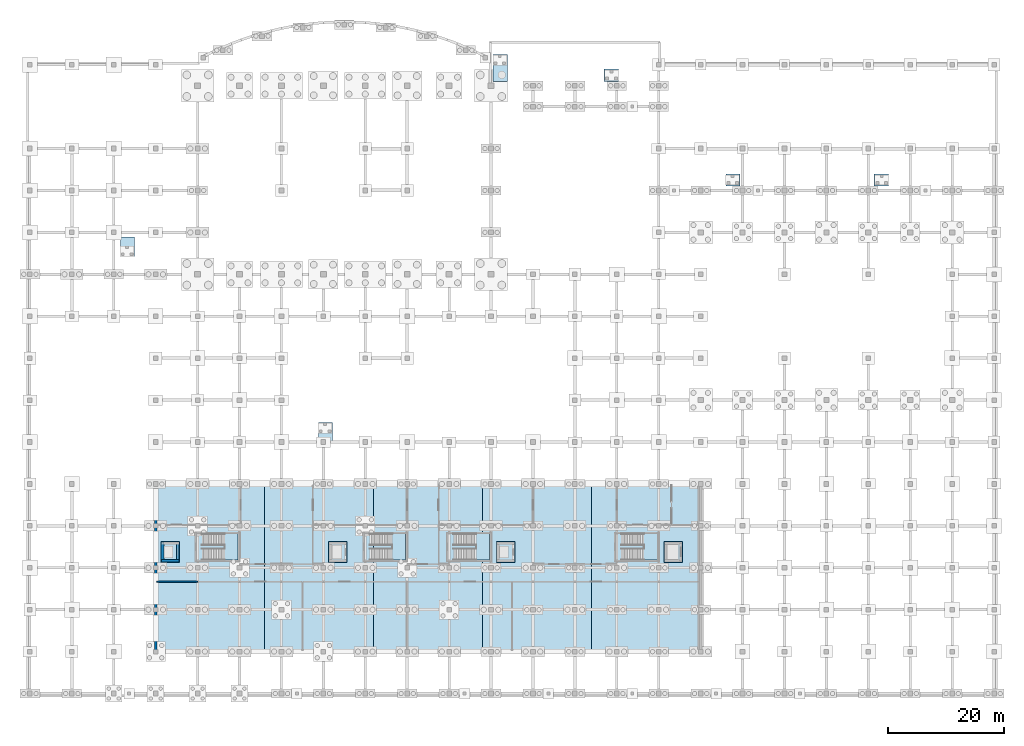
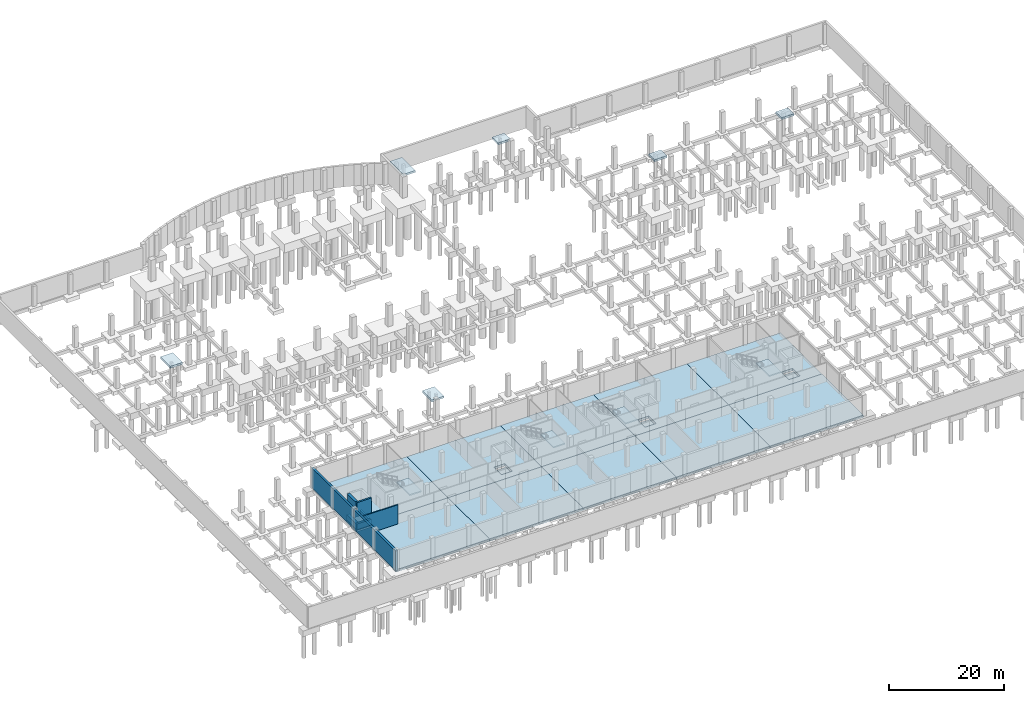
# One storey, part 17 of 22: 24 slabs, 8 walls, 4 elements without a shape of their own.
"""IFC4 building model written with IfcOpenShell, lengths in metres."""

import ifcopenshell
import ifcopenshell.guid

model = None  # the IFC model being written
_history = None  # IfcOwnerHistory: only IFC2X3 demands one
_inside = {}  # id of a spatial element -> (the spatial element, [elements in it])
_under = {}  # id of a project, library or spatial element -> (it, [spatial elements below it])
_declared = {}  # id of a project -> (the project, [libraries it declares])
_typed = {}  # id of a type object -> (the type object, [elements of that type])
_made_of = {}  # id of a material, layer set ... -> (it, [elements and type objects made of it])


def new_model(schema):
    """Start an empty IFC model of exactly this schema.

    Asked for "IFC4X3", IfcOpenShell would pick the latest addendum, in which some entities
    have other attributes; the version numbers below select the first issue.
    IFC2X3 requires an IfcOwnerHistory on every rooted entity: one is made here for all.
    """
    global model, _history
    if schema == "IFC4X3":
        model = ifcopenshell.file(schema_version=(4, 3, 0, 0))
    else:
        model = ifcopenshell.file(schema=schema)
    _inside.clear()
    _under.clear()
    _declared.clear()
    _typed.clear()
    _made_of.clear()
    _history = None
    if model.schema == "IFC2X3":
        org = make("IfcOrganization", Name="unknown")
        user = make(
            "IfcPersonAndOrganization",
            ThePerson=make("IfcPerson", FamilyName="unknown"),
            TheOrganization=org,
        )
        app = make(
            "IfcApplication",
            ApplicationDeveloper=org,
            Version="unknown",
            ApplicationFullName="unknown",
            ApplicationIdentifier="unknown",
        )
        _history = make(
            "IfcOwnerHistory",
            OwningUser=user,
            OwningApplication=app,
            ChangeAction="ADDED",
            CreationDate=0,
        )
    return model


def make(cls, **values):
    """One entity of the class cls with the attributes given. An attribute that is None is left unset."""
    return model.create_entity(
        cls, **{name: value for name, value in values.items() if value is not None}
    )


def rooted(cls, **values):
    """An entity with a GlobalId (a new one), such as an element, a storey or a relation."""
    return make(cls, GlobalId=ifcopenshell.guid.new(), OwnerHistory=_history, **values)


def si_unit(unit_type, name, prefix=None):
    """IfcSIUnit, for example si_unit("LENGTHUNIT", "METRE", prefix="MILLI")."""
    return make("IfcSIUnit", UnitType=unit_type, Prefix=prefix, Name=name)


def assignment(units):
    """IfcUnitAssignment: the units of a project."""
    return None if units is None else make("IfcUnitAssignment", Units=units)


def point(xyz):
    """IfcCartesianPoint."""
    return None if xyz is None else make("IfcCartesianPoint", Coordinates=xyz)


def direction(xyz):
    """IfcDirection."""
    return None if xyz is None else make("IfcDirection", DirectionRatios=xyz)


def frame(location, z_axis=None, x_axis=None):
    """IfcAxis2Placement3D, a coordinate frame: its origin and axes. An axis left out is left unset."""
    return make(
        "IfcAxis2Placement3D",
        Location=point(location),
        Axis=direction(z_axis),
        RefDirection=direction(x_axis),
    )


def frame_2d(location, x_axis=None):
    """IfcAxis2Placement2D, a coordinate frame in the plane: its origin and x axis."""
    return make(
        "IfcAxis2Placement2D", Location=point(location), RefDirection=direction(x_axis)
    )


def origin():
    """The frame at (0, 0, 0) with its axes left unset."""
    return frame((0.0, 0.0, 0.0))


def place(relative_to, where):
    """IfcLocalPlacement: puts the frame where relative to a parent placement (None: the world)."""
    return make(
        "IfcLocalPlacement", PlacementRelTo=relative_to, RelativePlacement=where
    )


def context(
    kind, dimensions, precision=None, world=None, true_north=None, identifier=None
):
    """IfcGeometricRepresentationContext, for example the 3D "Model" context."""
    return make(
        "IfcGeometricRepresentationContext",
        ContextIdentifier=identifier,
        ContextType=kind,
        CoordinateSpaceDimension=dimensions,
        Precision=precision,
        WorldCoordinateSystem=world,
        TrueNorth=true_north,
    )


def subcontext(parent, identifier, kind, view, scale=None):
    """IfcGeometricRepresentationSubContext, for example "Body" below "Model"."""
    return make(
        "IfcGeometricRepresentationSubContext",
        ContextIdentifier=identifier,
        ContextType=kind,
        ParentContext=parent,
        TargetScale=scale,
        TargetView=view,
    )


def project(units=None, contexts=None):
    """IfcProject with its units and contexts."""
    return rooted(
        "IfcProject",
        Name="project",
        RepresentationContexts=contexts,
        UnitsInContext=assignment(units),
    )


def spatial(cls, under=None, at=None, **own):
    """A site, building, storey or space (cls), placed at a placement, below another one or the project."""
    s = rooted(cls, ObjectPlacement=at, **own)
    if under is not None:
        _under.setdefault(under.id(), (under, []))[1].append(s)
    return s


def polyline(points):
    """IfcPolyline through the points."""
    return make("IfcPolyline", Points=[point(p) for p in points])


def profile(cls, at=None, kind="AREA", **sizes):
    """A parametric profile (cls). Its sizes go by their IFC names, for example OverallWidth=200.0."""
    return make(cls, ProfileType=kind, Position=at, **sizes)


def rectangle(**sizes):
    """IfcRectangleProfileDef."""
    return profile("IfcRectangleProfileDef", **sizes)


def outline(outer, holes=None, kind="AREA"):
    """IfcArbitraryClosedProfileDef: a profile drawn as a closed curve; with holes, ...WithVoids."""
    if holes is None:
        return make("IfcArbitraryClosedProfileDef", ProfileType=kind, OuterCurve=outer)
    return make(
        "IfcArbitraryProfileDefWithVoids",
        ProfileType=kind,
        OuterCurve=outer,
        InnerCurves=holes,
    )


def extrude(swept, where, along, depth):
    """IfcExtrudedAreaSolid: the profile swept, set in the frame where, extruded along a direction by depth."""
    return make(
        "IfcExtrudedAreaSolid",
        SweptArea=swept,
        Position=where,
        ExtrudedDirection=direction(along),
        Depth=depth,
    )


def shape(context_of_items, identifier, shape_type, items):
    """IfcShapeRepresentation: the items that make up one representation, for example the "Body"."""
    return make(
        "IfcShapeRepresentation",
        ContextOfItems=context_of_items,
        RepresentationIdentifier=identifier,
        RepresentationType=shape_type,
        Items=items,
    )


def material(Name=None, Category=None):
    """IfcMaterial."""
    return make("IfcMaterial", Name=Name, Category=Category)


def layer(
    of_material, thickness, ventilated=None, Name=None, Category=None, Priority=None
):
    """IfcMaterialLayer: one layer of a wall or slab, of a material (None: an air gap)."""
    return make(
        "IfcMaterialLayer",
        Material=of_material,
        LayerThickness=thickness,
        IsVentilated=ventilated,
        Name=Name,
        Category=Category,
        Priority=Priority,
    )


def layer_set(layers, Name=None):
    """IfcMaterialLayerSet."""
    return make("IfcMaterialLayerSet", MaterialLayers=layers, LayerSetName=Name)


def made_of(thing, what):
    """Note that an element or type object is made of a material, layer set ...; save() writes the relation."""
    if what is not None:
        _made_of.setdefault(what.id(), (what, []))[1].append(thing)
    return thing


def type_object(cls, material=None, **own):
    """A type object (cls), such as IfcWallType, which elements share."""
    return made_of(rooted(cls, **own), material)


def element(
    cls,
    number,
    at=None,
    inside=None,
    cuts=None,
    type_object=None,
    material=None,
    context=None,
    identifier="Body",
    shape_type=None,
    held_by="IfcProductDefinitionShape",
    body=None,
    shapes=None,
    **own,
):
    """One element of the class cls, such as IfcWall. Its Tag is "e" and its number.

    at: its placement. inside: the storey or other place that contains it. cuts: it is an
    opening in that element (IfcRelVoidsElement). A single representation is given by context,
    identifier, shape_type and body (its items); several are given by shapes. held_by: the class
    of the entity that holds the representations. save() writes the other relations.
    """
    e = rooted(cls, Tag="e%d" % number, ObjectPlacement=at, **own)
    if body is not None:
        shapes = [shape(context, identifier, shape_type, body)]
    if shapes is not None:
        e.Representation = make(held_by, Representations=shapes)
    if inside is not None:
        _inside.setdefault(inside.id(), (inside, []))[1].append(e)
    if cuts is not None:
        rooted(
            "IfcRelVoidsElement", RelatingBuildingElement=cuts, RelatedOpeningElement=e
        )
    if type_object is not None:
        _typed.setdefault(type_object.id(), (type_object, []))[1].append(e)
    return made_of(e, material)


def aggregate(whole, parts):
    """IfcRelAggregates: a whole, such as a stair, and the parts it consists of."""
    return rooted("IfcRelAggregates", RelatingObject=whole, RelatedObjects=parts)


def save(model, path):
    """Write the relations noted so far, then the file.

    IfcRelAggregates (storeys below a building ...), IfcRelContainedInSpatialStructure (elements
    in a storey), IfcRelDefinesByType, IfcRelAssociatesMaterial and IfcRelDeclares: one each for
    every whole, place, type object, material and project.
    """
    for whole, parts in _under.values():
        aggregate(whole, parts)
    for where, things in _inside.values():
        rooted(
            "IfcRelContainedInSpatialStructure",
            RelatedElements=things,
            RelatingStructure=where,
        )
    for kind, things in _typed.values():
        rooted("IfcRelDefinesByType", RelatedObjects=things, RelatingType=kind)
    for what, things in _made_of.values():
        rooted("IfcRelAssociatesMaterial", RelatedObjects=things, RelatingMaterial=what)
    for by, libraries in _declared.values():
        rooted("IfcRelDeclares", RelatingContext=by, RelatedDefinitions=libraries)
    model.write(path)


model = new_model("IFC4")

# Units and contexts
model_context = context("Model", 3, precision=1e-05, world=origin(), true_north=direction((0.0, 1.0)))
body_context = subcontext(model_context, "Body", "Model", "MODEL_VIEW")
ifc_project = project(units=[si_unit("LENGTHUNIT", "METRE"), si_unit("AREAUNIT", "SQUARE_METRE"), si_unit("VOLUMEUNIT", "CUBIC_METRE"), si_unit("PLANEANGLEUNIT", "RADIAN"), si_unit("MASSUNIT", "GRAM", prefix="KILO")], contexts=[model_context])

# Site, building, storey
site_placement = place(None, origin())
site = spatial("IfcSite", under=ifc_project, at=site_placement, CompositionType="ELEMENT")
building_placement = place(site_placement, origin())
building = spatial("IfcBuilding", under=site, at=building_placement, Name="Sardonyx Promenade Sports Hall", CompositionType="ELEMENT")
storey_placement = place(building_placement, frame((0.0, 0.0, -4.5)))
storey = spatial("IfcBuildingStorey", under=building, at=storey_placement, Name="B1", CompositionType="ELEMENT", Elevation=-4.5)

# Stair, slab
ifc_material_1 = material(Name="Concrete C40/50", Category="concrete")
stair_type = type_object("IfcStairType", Name="Stair_Esc_B1_450", PredefinedType="HALF_TURN_STAIR", material=ifc_material_1)
stair_1_placement = place(storey_placement, origin())
stair_1 = element("IfcStair", 1, at=stair_1_placement, inside=storey, type_object=stair_type, Name="Protected escape stair ST1 (B1 to L00)", PredefinedType="HALF_TURN_STAIR")
ifc_material_2 = material(Name="Concrete C40/50", Category="concrete")
ifc_layer_1 = layer(ifc_material_2, 0.25)
ifc_layer_set_1 = layer_set([ifc_layer_1], Name="Land_Stair_250")
slab_type_1 = type_object("IfcSlabType", Name="Land_Stair_250", PredefinedType="LANDING", material=ifc_layer_set_1)
slab_1_placement = place(storey_placement, frame((0.0, 0.0, 2.0)))
slab_1 = element("IfcSlab", 2, at=slab_1_placement, type_object=slab_type_1, Name="Stair half-landing ST1 B1", PredefinedType="LANDING", context=body_context, shape_type="SweptSolid", body=[
    extrude(outline(polyline([(33.409912109375, 22.925048828125), (35.75, 22.925048828125), (35.75, 27.47509765625), (33.409912109375, 27.47509765625), (33.409912109375, 22.925048828125)])), origin(), (0.0, 0.0, 1.0), 0.25),
])
aggregate(stair_1, [slab_1])

stair_2_placement = place(storey_placement, origin())
stair_2 = element("IfcStair", 3, at=stair_2_placement, inside=storey, type_object=stair_type, Name="Protected escape stair ST2 (B1 to L00)", PredefinedType="HALF_TURN_STAIR")
slab_2_placement = place(storey_placement, frame((0.0, 0.0, 2.0)))
slab_2 = element("IfcSlab", 4, at=slab_2_placement, type_object=slab_type_1, Name="Stair half-landing ST2 B1", PredefinedType="LANDING", context=body_context, shape_type="SweptSolid", body=[
    extrude(outline(polyline([(105.409912109375, 22.925048828125), (107.75, 22.925048828125), (107.75, 27.47509765625), (105.409912109375, 27.47509765625), (105.409912109375, 22.925048828125)])), origin(), (0.0, 0.0, 1.0), 0.25),
])
aggregate(stair_2, [slab_2])

stair_3_placement = place(storey_placement, origin())
stair_3 = element("IfcStair", 5, at=stair_3_placement, inside=storey, type_object=stair_type, Name="Protected escape stair ST3 (B1 to L00)", PredefinedType="HALF_TURN_STAIR")
slab_3_placement = place(storey_placement, frame((0.0, 0.0, 2.0)))
slab_3 = element("IfcSlab", 6, at=slab_3_placement, type_object=slab_type_1, Name="Stair half-landing ST3 B1", PredefinedType="LANDING", context=body_context, shape_type="SweptSolid", body=[
    extrude(outline(polyline([(62.2099609375, 22.925048828125), (64.550048828125, 22.925048828125), (64.550048828125, 27.47509765625), (62.2099609375, 27.47509765625), (62.2099609375, 22.925048828125)])), origin(), (0.0, 0.0, 1.0), 0.25),
])
aggregate(stair_3, [slab_3])

stair_4_placement = place(storey_placement, origin())
stair_4 = element("IfcStair", 7, at=stair_4_placement, inside=storey, type_object=stair_type, Name="Protected escape stair ST4 (B1 to L00)", PredefinedType="HALF_TURN_STAIR")
slab_4_placement = place(storey_placement, frame((0.0, 0.0, 2.0)))
slab_4 = element("IfcSlab", 8, at=slab_4_placement, type_object=slab_type_1, Name="Stair half-landing ST4 B1", PredefinedType="LANDING", context=body_context, shape_type="SweptSolid", body=[
    extrude(outline(polyline([(76.610107421875, 22.925048828125), (78.949951171875, 22.925048828125), (78.949951171875, 27.47509765625), (76.610107421875, 27.47509765625), (76.610107421875, 22.925048828125)])), origin(), (0.0, 0.0, 1.0), 0.25),
])
aggregate(stair_4, [slab_4])

# Slabs
ifc_material_3 = material(Name="Concrete C40/50", Category="concrete")
ifc_layer_2 = layer(ifc_material_3, 0.5)
ifc_layer_set_2 = layer_set([ifc_layer_2], Name="Slab_Base_B1_500")
slab_type_2 = type_object("IfcSlabType", Name="Slab_Base_B1_500", PredefinedType="BASESLAB", material=ifc_layer_set_2)
slab_5_placement = place(storey_placement, frame((0.0, 0.0, -0.5)))
element("IfcSlab", 9, at=slab_5_placement, inside=storey, type_object=slab_type_2, Name="Slab BS01 B1 #25", PredefinedType="BASESLAB", context=body_context, shape_type="SweptSolid", body=[
    extrude(outline(polyline([(21.60009765625, 7.199951171875), (40.320068359375, 7.199951171875), (40.320068359375, 21.60009765625), (21.60009765625, 21.60009765625), (21.60009765625, 7.199951171875)])), origin(), (0.0, 0.0, 1.0), 0.5),
])
slab_6_placement = place(storey_placement, frame((0.0, 0.0, -0.5)))
element("IfcSlab", 10, at=slab_6_placement, inside=storey, type_object=slab_type_2, Name="Slab BS01 B1 #26", PredefinedType="BASESLAB", context=body_context, shape_type="SweptSolid", body=[
    extrude(outline(polyline([(21.60009765625, 36.0), (21.60009765625, 21.60009765625), (40.320068359375, 21.60009765625), (40.320068359375, 36.0), (21.60009765625, 36.0)]), holes=[polyline([(22.989990234375, 22.989990234375), (22.989990234375, 25.610107421875), (25.2099609375, 25.610107421875), (25.2099609375, 22.989990234375), (22.989990234375, 22.989990234375)])]), origin(), (0.0, 0.0, 1.0), 0.5),
])
slab_7_placement = place(storey_placement, frame((0.0, 0.0, -0.5)))
element("IfcSlab", 11, at=slab_7_placement, inside=storey, type_object=slab_type_2, Name="Slab BS01 B1 #27", PredefinedType="BASESLAB", context=body_context, shape_type="SweptSolid", body=[
    extrude(outline(polyline([(40.320068359375, 7.199951171875), (59.0400390625, 7.199951171875), (59.0400390625, 21.60009765625), (40.320068359375, 21.60009765625), (40.320068359375, 7.199951171875)])), origin(), (0.0, 0.0, 1.0), 0.5),
])
slab_8_placement = place(storey_placement, frame((0.0, 0.0, -0.5)))
element("IfcSlab", 12, at=slab_8_placement, inside=storey, type_object=slab_type_2, Name="Slab BS01 B1 #28", PredefinedType="BASESLAB", context=body_context, shape_type="SweptSolid", body=[
    extrude(outline(polyline([(40.320068359375, 36.0), (40.320068359375, 21.60009765625), (59.0400390625, 21.60009765625), (59.0400390625, 36.0), (40.320068359375, 36.0)]), holes=[polyline([(51.7900390625, 22.989990234375), (51.7900390625, 25.610107421875), (54.010009765625, 25.610107421875), (54.010009765625, 22.989990234375), (51.7900390625, 22.989990234375)])]), origin(), (0.0, 0.0, 1.0), 0.5),
])
slab_9_placement = place(storey_placement, frame((0.0, 0.0, -0.5)))
element("IfcSlab", 13, at=slab_9_placement, inside=storey, type_object=slab_type_2, Name="Slab BS01 B1 #29", PredefinedType="BASESLAB", context=body_context, shape_type="SweptSolid", body=[
    extrude(outline(polyline([(59.0400390625, 7.199951171875), (77.760009765625, 7.199951171875), (77.760009765625, 21.60009765625), (59.0400390625, 21.60009765625), (59.0400390625, 7.199951171875)])), origin(), (0.0, 0.0, 1.0), 0.5),
])
slab_10_placement = place(storey_placement, frame((0.0, 0.0, -0.5)))
element("IfcSlab", 14, at=slab_10_placement, inside=storey, type_object=slab_type_2, Name="Slab BS01 B1 #30", PredefinedType="BASESLAB", context=body_context, shape_type="SweptSolid", body=[
    extrude(outline(polyline([(59.0400390625, 21.60009765625), (77.760009765625, 21.60009765625), (77.760009765625, 36.0), (59.0400390625, 36.0), (59.0400390625, 21.60009765625)])), origin(), (0.0, 0.0, 1.0), 0.5),
])
slab_11_placement = place(storey_placement, frame((0.0, 0.0, -0.5)))
element("IfcSlab", 15, at=slab_11_placement, inside=storey, type_object=slab_type_2, Name="Slab BS01 B1 #31", PredefinedType="BASESLAB", context=body_context, shape_type="SweptSolid", body=[
    extrude(outline(polyline([(77.760009765625, 7.199951171875), (96.47998046875, 7.199951171875), (96.47998046875, 21.60009765625), (77.760009765625, 21.60009765625), (77.760009765625, 7.199951171875)])), origin(), (0.0, 0.0, 1.0), 0.5),
])
slab_12_placement = place(storey_placement, frame((0.0, 0.0, -0.5)))
element("IfcSlab", 16, at=slab_12_placement, inside=storey, type_object=slab_type_2, Name="Slab BS01 B1 #32", PredefinedType="BASESLAB", context=body_context, shape_type="SweptSolid", body=[
    extrude(outline(polyline([(77.760009765625, 36.0), (77.760009765625, 21.60009765625), (96.47998046875, 21.60009765625), (96.47998046875, 36.0), (77.760009765625, 36.0)]), holes=[polyline([(80.590087890625, 22.989990234375), (80.590087890625, 25.610107421875), (82.81005859375, 25.610107421875), (82.81005859375, 22.989990234375), (80.590087890625, 22.989990234375)])]), origin(), (0.0, 0.0, 1.0), 0.5),
])
slab_13_placement = place(storey_placement, frame((0.0, 0.0, -0.5)))
element("IfcSlab", 17, at=slab_13_placement, inside=storey, type_object=slab_type_2, Name="Slab BS01 B1 #33", PredefinedType="BASESLAB", context=body_context, shape_type="SweptSolid", body=[
    extrude(outline(polyline([(96.47998046875, 7.199951171875), (115.199951171875, 7.199951171875), (115.199951171875, 21.60009765625), (96.47998046875, 21.60009765625), (96.47998046875, 7.199951171875)])), origin(), (0.0, 0.0, 1.0), 0.5),
])
slab_14_placement = place(storey_placement, frame((0.0, 0.0, -0.5)))
element("IfcSlab", 18, at=slab_14_placement, inside=storey, type_object=slab_type_2, Name="Slab BS01 B1 #34", PredefinedType="BASESLAB", context=body_context, shape_type="SweptSolid", body=[
    extrude(outline(polyline([(96.47998046875, 36.0), (96.47998046875, 21.60009765625), (115.199951171875, 21.60009765625), (115.199951171875, 36.0), (96.47998046875, 36.0)]), holes=[polyline([(109.389892578125, 22.989990234375), (109.389892578125, 25.610107421875), (111.610107421875, 25.610107421875), (111.610107421875, 22.989990234375), (109.389892578125, 22.989990234375)])]), origin(), (0.0, 0.0, 1.0), 0.5),
])
ifc_material_4 = material(Name="Concrete C40/50", Category="concrete")
ifc_layer_3 = layer(ifc_material_4, 0.409912109375)
ifc_layer_set_3 = layer_set([ifc_layer_3], Name="Slab_Base_Court_300")
slab_type_3 = type_object("IfcSlabType", Name="Slab_Base_Court_300", PredefinedType="BASESLAB", material=ifc_layer_set_3)
slab_15_placement = place(storey_placement, frame((0.0, 0.0, 3.639892578125)))
element("IfcSlab", 19, at=slab_15_placement, inside=storey, type_object=slab_type_3, Name="Ramp landing substructure plinth #1", PredefinedType="BASESLAB", context=body_context, shape_type="SweptSolid", body=[
    extrude(outline(polyline([(79.550048828125, 105.14990234375), (82.00048828125, 105.14990234375), (82.00048828125, 109.75), (79.550048828125, 109.75), (79.550048828125, 105.14990234375)])), origin(), (0.0, 0.0, 1.0), 0.41015625),
])
slab_16_placement = place(storey_placement, frame((0.0, 0.0, 3.639892578125)))
element("IfcSlab", 20, at=slab_16_placement, inside=storey, type_object=slab_type_3, Name="Ramp landing substructure plinth #2", PredefinedType="BASESLAB", context=body_context, shape_type="SweptSolid", body=[
    extrude(outline(polyline([(98.599609375, 105.14990234375), (101.050048828125, 105.14990234375), (101.050048828125, 107.25), (98.599609375, 107.25), (98.599609375, 105.14990234375)])), origin(), (0.0, 0.0, 1.0), 0.41015625),
])
slab_17_placement = place(storey_placement, frame((0.0, 0.0, 3.639892578125)))
element("IfcSlab", 21, at=slab_17_placement, inside=storey, type_object=slab_type_3, Name="Ramp landing substructure plinth #3", PredefinedType="BASESLAB", context=body_context, shape_type="SweptSolid", body=[
    extrude(outline(polyline([(15.550048828125, 75.050048828125), (18.00048828125, 75.050048828125), (18.00048828125, 78.449951171875), (15.550048828125, 78.449951171875), (15.550048828125, 75.050048828125)])), origin(), (0.0, 0.0, 1.0), 0.41015625),
])
slab_18_placement = place(storey_placement, frame((0.0, 0.0, 3.639892578125)))
element("IfcSlab", 22, at=slab_18_placement, inside=storey, type_object=slab_type_3, Name="Ramp landing substructure plinth #4", PredefinedType="BASESLAB", context=body_context, shape_type="SweptSolid", body=[
    extrude(outline(polyline([(119.550048828125, 87.14990234375), (122.00048828125, 87.14990234375), (122.00048828125, 89.25), (119.550048828125, 89.25), (119.550048828125, 87.14990234375)])), origin(), (0.0, 0.0, 1.0), 0.41015625),
])
slab_19_placement = place(storey_placement, frame((0.0, 0.0, 3.639892578125)))
element("IfcSlab", 23, at=slab_19_placement, inside=storey, type_object=slab_type_3, Name="Ramp landing substructure plinth #5", PredefinedType="BASESLAB", context=body_context, shape_type="SweptSolid", body=[
    extrude(outline(polyline([(144.99951171875, 87.14990234375), (147.449951171875, 87.14990234375), (147.449951171875, 89.25), (144.99951171875, 89.25), (144.99951171875, 87.14990234375)])), origin(), (0.0, 0.0, 1.0), 0.41015625),
])
slab_20_placement = place(storey_placement, frame((0.0, 0.0, 3.909912109375)))
element("IfcSlab", 24, at=slab_20_placement, inside=storey, type_object=slab_type_3, Name="Ramp landing substructure plinth #6", PredefinedType="BASESLAB", context=body_context, shape_type="SweptSolid", body=[
    extrude(outline(polyline([(49.550048828125, 43.25), (52.00048828125, 43.25), (52.00048828125, 46.550048828125), (49.550048828125, 46.550048828125), (49.550048828125, 43.25)])), origin(), (0.0, 0.0, 1.0), 0.41015625),
])
ifc_material_5 = material(Name="Concrete C40/50", Category="concrete")
ifc_layer_4 = layer(ifc_material_5, 0.39990234375)
ifc_layer_set_4 = layer_set([ifc_layer_4], Name="Slab_Pit_RC_400")
slab_type_4 = type_object("IfcSlabType", Name="Slab_Pit_RC_400", PredefinedType="BASESLAB", material=ifc_layer_set_4)
slab_21_placement = place(storey_placement, frame((0.0, 0.0, -1.60009765625)))
element("IfcSlab", 25, at=slab_21_placement, inside=storey, type_object=slab_type_4, Name="Waterproof lift pit slab BS04 LF1", PredefinedType="BASESLAB", context=body_context, shape_type="SweptSolid", body=[
    extrude(outline(polyline([(22.5, 22.5), (25.699951171875, 22.5), (25.699951171875, 26.10009765625), (22.5, 26.10009765625), (22.5, 22.5)])), origin(), (0.0, 0.0, 1.0), 0.400146484375),
])
slab_22_placement = place(storey_placement, frame((0.0, 0.0, -1.60009765625)))
element("IfcSlab", 26, at=slab_22_placement, inside=storey, type_object=slab_type_4, Name="Waterproof lift pit slab BS04 LF3", PredefinedType="BASESLAB", context=body_context, shape_type="SweptSolid", body=[
    extrude(outline(polyline([(51.300048828125, 22.5), (54.5, 22.5), (54.5, 26.10009765625), (51.300048828125, 26.10009765625), (51.300048828125, 22.5)])), origin(), (0.0, 0.0, 1.0), 0.400146484375),
])
slab_23_placement = place(storey_placement, frame((0.0, 0.0, -1.60009765625)))
element("IfcSlab", 27, at=slab_23_placement, inside=storey, type_object=slab_type_4, Name="Waterproof lift pit slab BS04 LF2", PredefinedType="BASESLAB", context=body_context, shape_type="SweptSolid", body=[
    extrude(outline(polyline([(80.10009765625, 22.5), (83.300048828125, 22.5), (83.300048828125, 26.10009765625), (80.10009765625, 26.10009765625), (80.10009765625, 22.5)])), origin(), (0.0, 0.0, 1.0), 0.400146484375),
])
slab_24_placement = place(storey_placement, frame((0.0, 0.0, -1.60009765625)))
element("IfcSlab", 28, at=slab_24_placement, inside=storey, type_object=slab_type_4, Name="Waterproof lift pit slab BS04 LF4", PredefinedType="BASESLAB", context=body_context, shape_type="SweptSolid", body=[
    extrude(outline(polyline([(108.89990234375, 22.5), (112.10009765625, 22.5), (112.10009765625, 26.10009765625), (108.89990234375, 26.10009765625), (108.89990234375, 22.5)])), origin(), (0.0, 0.0, 1.0), 0.400146484375),
])

# Walls
ifc_material_6 = material(Name="Concrete C40/50", Category="concrete")
ifc_layer_5 = layer(ifc_material_6, 0.3798828125)
ifc_layer_set_5 = layer_set([ifc_layer_5], Name="Wall_Core_Shear_380")
wall_type_1 = type_object("IfcWallType", Name="Wall_Core_Shear_380", PredefinedType="SHEAR", material=ifc_layer_set_5)
wall_1_placement = place(storey_placement, frame((25.39990234375, 22.610107421875, -1.199951171875), z_axis=(0.0, 0.0, 1.0), x_axis=(0.0, 1.0, 0.0)))
element("IfcWall", 29, at=wall_1_placement, inside=storey, type_object=wall_type_1, Name="Lift pit wall LF1 E", PredefinedType="SHEAR", context=body_context, shape_type="SweptSolid", body=[
    extrude(rectangle(XDim=3.3798828125, YDim=0.3798828125, at=frame_2d((1.68994140625, 0.0))), origin(), (0.0, 0.0, 1.0), 1.199951171875),
])
wall_2_placement = place(storey_placement, frame((25.590087890625, 22.800048828125, -1.199951171875), z_axis=(0.0, 0.0, 1.0), x_axis=(-1.0, 0.0, 0.0)))
element("IfcWall", 30, at=wall_2_placement, inside=storey, type_object=wall_type_1, Name="Lift pit wall LF1 S", PredefinedType="SHEAR", context=body_context, shape_type="SweptSolid", body=[
    extrude(rectangle(XDim=2.97998046875, YDim=0.3798828125, at=frame_2d((1.489990234375, 0.0))), origin(), (0.0, 0.0, 1.0), 1.199951171875),
])
wall_3_placement = place(storey_placement, frame((25.590087890625, 22.800048828125, 0.0), z_axis=(0.0, 0.0, 1.0), x_axis=(-1.0, 0.0, 0.0)))
element("IfcWall", 31, at=wall_3_placement, inside=storey, type_object=wall_type_1, Name="Lift shaft wall LF1 B1 S", PredefinedType="SHEAR", context=body_context, shape_type="SweptSolid", body=[
    extrude(rectangle(XDim=2.97998046875, YDim=0.3798828125, at=frame_2d((1.489990234375, 0.0))), origin(), (0.0, 0.0, 1.0), 4.5),
])
ifc_material_7 = material(Name="Concrete C50/60", Category="concrete")
ifc_layer_6 = layer(ifc_material_7, 0.5)
ifc_layer_set_6 = layer_set([ifc_layer_6], Name="Wall_Core_Shear_500")
wall_type_2 = type_object("IfcWallType", Name="Wall_Core_Shear_500", PredefinedType="SHEAR", material=ifc_layer_set_6)
wall_4_placement = place(storey_placement, frame((22.800048828125, 25.989990234375, -1.199951171875), z_axis=(0.0, 0.0, 1.0), x_axis=(0.0, -1.0, 0.0)))
element("IfcWall", 32, at=wall_4_placement, inside=storey, type_object=wall_type_2, Name="Lift pit wall LF1 W", PredefinedType="SHEAR", context=body_context, shape_type="SweptSolid", body=[
    extrude(rectangle(XDim=3.3798828125, YDim=0.5, at=frame_2d((1.68994140625, 0.0))), origin(), (0.0, 0.0, 1.0), 1.199951171875),
])
wall_5_placement = place(storey_placement, frame((22.800048828125, 25.800048828125, 0.0), z_axis=(0.0, 0.0, 1.0), x_axis=(0.0, -1.0, 0.0)))
element("IfcWall", 33, at=wall_5_placement, inside=storey, type_object=wall_type_2, Name="Lift shaft wall LF1 B1 W", PredefinedType="SHEAR", context=body_context, shape_type="SweptSolid", body=[
    extrude(rectangle(XDim=3.0, YDim=0.5, at=frame_2d((1.5, 0.0))), origin(), (0.0, 0.0, 1.0), 4.5),
])
ifc_material_8 = material(Name="Masonry CMU 15 MPa", Category="masonry")
ifc_layer_7 = layer(ifc_material_8, 0.2099609375)
ifc_layer_set_7 = layer_set([ifc_layer_7], Name="Wall_Part_Block_210")
wall_type_3 = type_object("IfcWallType", Name="Wall_Part_Block_210", PredefinedType="PARTITIONING", material=ifc_layer_set_7)
wall_6_placement = place(storey_placement, frame((21.81005859375, 19.199951171875, 0.0), z_axis=(0.0, 0.0, 1.0), x_axis=(1.0, 0.0, 0.0)))
element("IfcWall", 34, at=wall_6_placement, inside=storey, type_object=wall_type_3, Name="Interior partition PW07 B1 #30", PredefinedType="PARTITIONING", context=body_context, shape_type="SweptSolid", body=[
    extrude(rectangle(XDim=6.989990234375, YDim=0.2099609375, at=frame_2d((3.4951171875, 0.0))), origin(), (0.0, 0.0, 1.0), 4.06005859375),
])
ifc_material_9 = material(Name="Concrete C40/50", Category="concrete")
ifc_layer_8 = layer(ifc_material_9, 0.39990234375)
ifc_layer_set_8 = layer_set([ifc_layer_8], Name="Wall_Retain_B1_400")
wall_type_4 = type_object("IfcWallType", Name="Wall_Retain_B1_400", PredefinedType="USERDEFINED", material=ifc_layer_set_8)
wall_7_placement = place(storey_placement, frame((21.60009765625, 7.0, 0.0), z_axis=(0.0, 0.0, 1.0), x_axis=(0.0, 1.0, 0.0)))
element("IfcWall", 35, at=wall_7_placement, inside=storey, type_object=wall_type_4, Name="Basement retaining wall RW02 W1", ObjectType="RETAINING WALL", PredefinedType="USERDEFINED", context=body_context, shape_type="SweptSolid", body=[
    extrude(rectangle(XDim=14.60009765625, YDim=0.39990234375, at=frame_2d((7.300048828125, 0.0))), origin(), (0.0, 0.0, 1.0), 4.14990234375),
])
wall_8_placement = place(storey_placement, frame((21.60009765625, 21.60009765625, 0.0), z_axis=(0.0, 0.0, 1.0), x_axis=(0.0, 1.0, 0.0)))
element("IfcWall", 36, at=wall_8_placement, inside=storey, type_object=wall_type_4, Name="Basement retaining wall RW02 W2", ObjectType="RETAINING WALL", PredefinedType="USERDEFINED", context=body_context, shape_type="SweptSolid", body=[
    extrude(rectangle(XDim=14.599853515625, YDim=0.39990234375, at=frame_2d((7.2998046875, 0.0))), origin(), (0.0, 0.0, 1.0), 4.14990234375),
])

save(model, "model.ifc")
